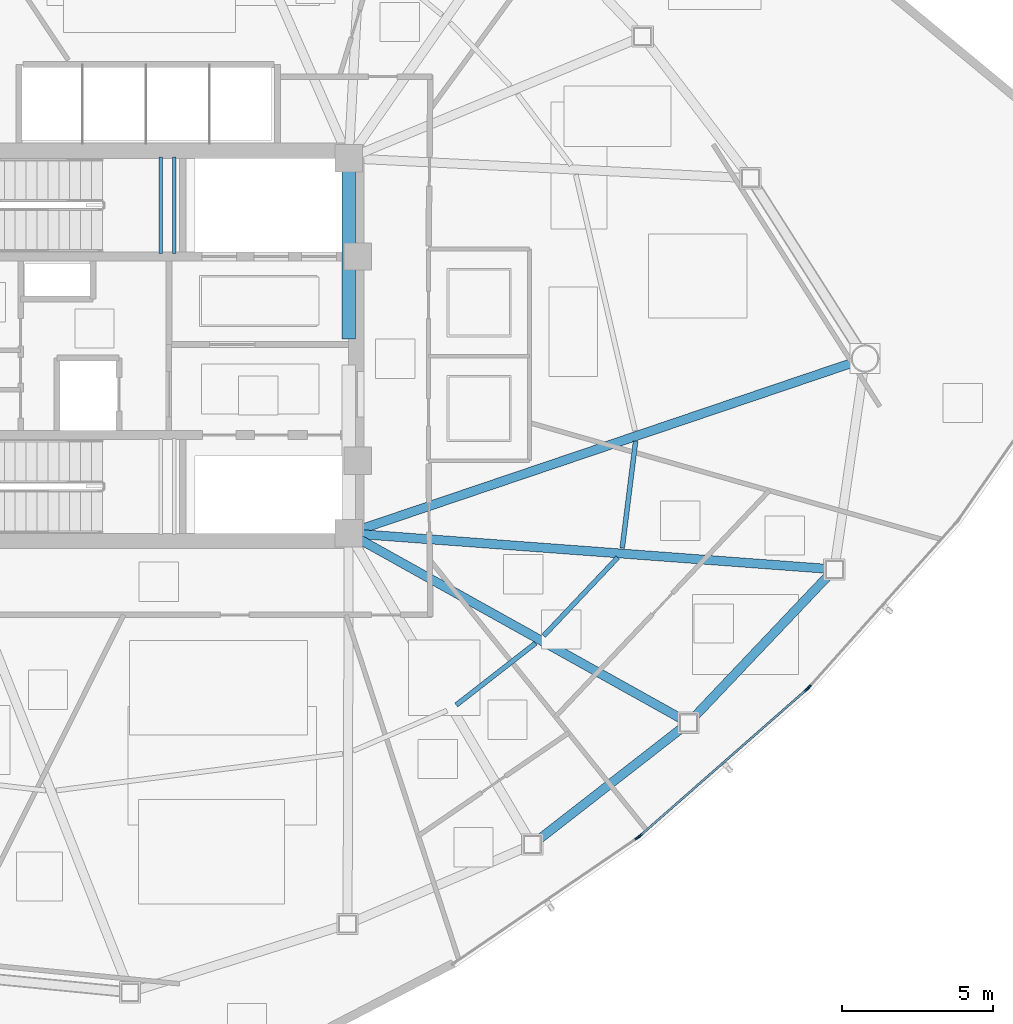
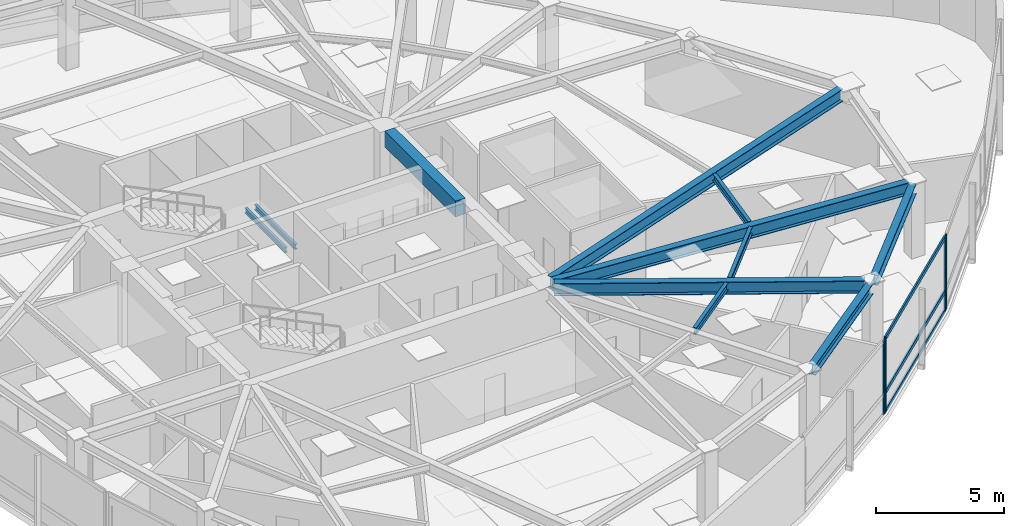
# One storey, part 5 of 17: 11 beams, 7 members, 3 elements without a shape of their own.
"""IFC4 building model written with IfcOpenShell, lengths in metres."""

from ifc_helpers import new_model, si_unit, direction, frame, origin, origin_2d, place, context, subcontext, project, spatial, rectangle, hollow_rectangle, i_section, extrude, source, transform, mapped, material, layer, layer_set, material_profile, profile_set, type_object, type_shapes, element, aggregate, save


model = new_model("IFC4")

# Units and contexts
model_context = context("Model", 3, precision=1e-05, world=origin(), true_north=direction((0.0, 1.0)))
body_context = subcontext(model_context, "Body", "Model", "MODEL_VIEW")
ifc_project = project(units=[si_unit("LENGTHUNIT", "METRE"), si_unit("AREAUNIT", "SQUARE_METRE"), si_unit("VOLUMEUNIT", "CUBIC_METRE"), si_unit("PLANEANGLEUNIT", "RADIAN"), si_unit("MASSUNIT", "GRAM", prefix="KILO")], contexts=[model_context])

# Site, building, storey
site_placement = place(None, origin())
site = spatial("IfcSite", under=ifc_project, at=site_placement, CompositionType="ELEMENT")
building_placement = place(site_placement, origin())
building = spatial("IfcBuilding", under=site, at=building_placement, Name="Tavelor Broadcast Tower", CompositionType="ELEMENT")
storey_placement = place(building_placement, frame((0.0, 0.0, 192.60009765625)))
storey = spatial("IfcBuildingStorey", under=building, at=storey_placement, Name="L46", CompositionType="ELEMENT", Elevation=192.60009765625)

# Beams
ifc_material_1 = material(Name="Concrete C40/50", Category="concrete")
ifc_material_profile_1 = material_profile(ifc_material_1, rectangle(XDim=0.449951171875, YDim=0.75, at=origin_2d()), Name="RC 450x750")
ifc_profile_set_1 = profile_set([ifc_material_profile_1], Name="Concrete C40/50")
beam_type_1 = type_object("IfcBeamType", Name="Basement Core Trim Beam 450x750", PredefinedType="BEAM", material=ifc_profile_set_1)
beam_1_placement = place(storey_placement, frame((56.60009765625, 45.23193359375, 3.1748046875), z_axis=(0.0, 1.0, 0.0), x_axis=(-1.0, 0.0, 0.0)))
element("IfcBeam", 1, at=beam_1_placement, inside=storey, type_object=beam_type_1, Name="L46 Core East-N Tie Girder", PredefinedType="BEAM", context=body_context, shape_type="SweptSolid", body=[
    extrude(rectangle(XDim=0.449951171875, YDim=0.75, at=origin_2d()), origin(), (0.0, 0.0, 1.0), 5.5361328125),
])
ifc_material_2 = material(Name="Steel S355", Category="steel")
ifc_material_profile_2 = material_profile(ifc_material_2, i_section(OverallWidth=0.159912109375, OverallDepth=0.330078125, WebThickness=0.007568359375, FlangeThickness=0.011474609375, at=origin_2d()), Name="IPE 330")
ifc_profile_set_2 = profile_set([ifc_material_profile_2], Name="Steel S355")
beam_type_2 = type_object("IfcBeamType", Name="Composite Floor Joist T4 IPE 330", PredefinedType="JOIST", material=ifc_profile_set_2)
beam_2_placement = place(storey_placement, frame((60.156005859375, 33.120361328125, 3.385009765625), z_axis=(0.788651848012, 0.614840030112, 0.0), x_axis=(-0.614840030112, 0.788651848012, 0.0)))
element("IfcBeam", 2, at=beam_2_placement, inside=storey, type_object=beam_type_2, Name="L46 Secondary Composite Floor Joist 10", PredefinedType="JOIST", context=body_context, shape_type="SweptSolid", body=[
    extrude(i_section(OverallWidth=0.159912109375, OverallDepth=0.330078125, WebThickness=0.007568359375, FlangeThickness=0.011474609375, at=origin_2d()), origin(), (0.0, 0.0, 1.0), 3.32470703125),
])
beam_3_placement = place(storey_placement, frame((63.04541015625, 35.4072265625, 3.385009765625), z_axis=(0.687334543524, 0.726340984166, 0.0), x_axis=(-0.726340984166, 0.687334543524, 0.0)))
element("IfcBeam", 3, at=beam_3_placement, inside=storey, type_object=beam_type_2, Name="L46 Secondary Composite Floor Joist 11", PredefinedType="JOIST", context=body_context, shape_type="SweptSolid", body=[
    extrude(i_section(OverallWidth=0.159912109375, OverallDepth=0.330078125, WebThickness=0.007568359375, FlangeThickness=0.011474609375, at=origin_2d()), origin(), (0.0, 0.0, 1.0), 3.567626953125),
])
beam_4_placement = place(storey_placement, frame((65.64453125, 38.3095703125, 3.385009765625), z_axis=(0.124499310057, 0.992219694319, 0.0), x_axis=(-0.992219694319, 0.124499310057, 0.0)))
element("IfcBeam", 4, at=beam_4_placement, inside=storey, type_object=beam_type_2, Name="L46 Secondary Composite Floor Joist 12", PredefinedType="JOIST", context=body_context, shape_type="SweptSolid", body=[
    extrude(i_section(OverallWidth=0.159912109375, OverallDepth=0.330078125, WebThickness=0.007568359375, FlangeThickness=0.011474609375, at=origin_2d()), origin(), (0.0, 0.0, 1.0), 3.55712890625),
])
ifc_material_profile_3 = material_profile(ifc_material_2, i_section(OverallWidth=0.300048828125, OverallDepth=0.5, WebThickness=0.014404296875, FlangeThickness=0.028076171875, at=origin_2d()), Name="HEB 500")
ifc_profile_set_3 = profile_set([ifc_material_profile_3], Name="Steel S355")
beam_type_3 = type_object("IfcBeamType", Name="Perimeter Spandrel Beam T4 HEB 500", PredefinedType="SPANDREL", material=ifc_profile_set_3)
beam_5_placement = place(storey_placement, frame((62.896484375, 28.68017578125, 3.2998046875), z_axis=(0.788978387361, 0.614420950389, 0.0), x_axis=(-0.614420950389, 0.788978387361, 0.0)))
element("IfcBeam", 5, at=beam_5_placement, inside=storey, type_object=beam_type_3, Name="L46 Framed-Tube Ring Spandrel 10", PredefinedType="SPANDREL", context=body_context, shape_type="SweptSolid", body=[
    extrude(i_section(OverallWidth=0.300048828125, OverallDepth=0.5, WebThickness=0.014404296875, FlangeThickness=0.028076171875, at=origin_2d()), origin(), (0.0, 0.0, 1.0), 5.98046875),
])
beam_6_placement = place(storey_placement, frame((68.04052734375, 32.74072265625, 3.2998046875), z_axis=(0.688387662899, 0.725342970993, 0.0), x_axis=(-0.725342970993, 0.688387662899, 0.0)))
element("IfcBeam", 6, at=beam_6_placement, inside=storey, type_object=beam_type_3, Name="L46 Framed-Tube Ring Spandrel 11", PredefinedType="SPANDREL", context=body_context, shape_type="SweptSolid", body=[
    extrude(i_section(OverallWidth=0.300048828125, OverallDepth=0.5, WebThickness=0.014404296875, FlangeThickness=0.028076171875, at=origin_2d()), origin(), (0.0, 0.0, 1.0), 6.42138671875),
])
ifc_material_profile_4 = material_profile(ifc_material_2, i_section(OverallWidth=0.300048828125, OverallDepth=0.590087890625, WebThickness=0.012939453125, FlangeThickness=0.02490234375, at=origin_2d()), Name="HEA 600")
ifc_profile_set_4 = profile_set([ifc_material_profile_4], Name="Steel S355")
beam_type_4 = type_object("IfcBeamType", Name="Radial Floor Girder T4 HEA 600", PredefinedType="BEAM", material=ifc_profile_set_4)
beam_7_placement = place(storey_placement, frame((56.977294921875, 38.589599609375, 3.2548828125), z_axis=(0.8734199139, -0.486967816187, 0.0), x_axis=(0.486967816187, 0.8734199139, 0.0)))
element("IfcBeam", 7, at=beam_7_placement, inside=storey, type_object=beam_type_4, Name="L46 Radial Primary Floor Girder 11", PredefinedType="BEAM", context=body_context, shape_type="SweptSolid", body=[
    extrude(i_section(OverallWidth=0.300048828125, OverallDepth=0.590087890625, WebThickness=0.012939453125, FlangeThickness=0.02490234375, at=origin_2d()), origin(), (0.0, 0.0, 1.0), 12.151611328125),
])
beam_8_placement = place(storey_placement, frame((57.03076171875, 38.76806640625, 3.2548828125), z_axis=(0.997253315852, -0.074066348787, 0.0), x_axis=(0.074066348787, 0.997253315852, 0.0)))
element("IfcBeam", 8, at=beam_8_placement, inside=storey, type_object=beam_type_4, Name="L46 Radial Primary Floor Girder 12", PredefinedType="BEAM", context=body_context, shape_type="SweptSolid", body=[
    extrude(i_section(OverallWidth=0.300048828125, OverallDepth=0.590087890625, WebThickness=0.012939453125, FlangeThickness=0.02490234375, at=origin_2d()), origin(), (0.0, 0.0, 1.0), 15.383544921875),
])
beam_9_placement = place(storey_placement, frame((57.00927734375, 38.9384765625, 3.2548828125), z_axis=(0.947214639948, 0.320600102727, 0.0), x_axis=(-0.320600102727, 0.947214639948, 0.0)))
element("IfcBeam", 9, at=beam_9_placement, inside=storey, type_object=beam_type_4, Name="L46 Radial Primary Floor Girder 13", PredefinedType="BEAM", context=body_context, shape_type="SweptSolid", body=[
    extrude(i_section(OverallWidth=0.300048828125, OverallDepth=0.590087890625, WebThickness=0.012939453125, FlangeThickness=0.02490234375, at=origin_2d()), origin(), (0.0, 0.0, 1.0), 17.15673828125),
])
ifc_material_profile_5 = material_profile(ifc_material_2, i_section(OverallWidth=0.1201171875, OverallDepth=0.239990234375, WebThickness=0.006103515625, FlangeThickness=0.009765625, at=origin_2d()), Name="IPE 240")
ifc_profile_set_5 = profile_set([ifc_material_profile_5], Name="Steel S355")
beam_type_5 = type_object("IfcBeamType", Name="Stairwell Landing Support Trimmer Beam IPE240", PredefinedType="BEAM", material=ifc_profile_set_5)
for number, where, z_axis, x_axis, name in (
    (10, (50.385009765625, 48.06005859375, 1.60986328125), (0.0, 1.0, 0.0), (-1.0, 0.0, 0.0), "L46 Stair Landing Support Beam 125"),
    (11, (50.824951171875, 48.06005859375, 1.60986328125), (0.0, 1.0, 0.0), (-1.0, 0.0, 0.0), "L46 Stair Landing Support Beam 126"),
):
    element("IfcBeam", number, at=place(storey_placement, frame(where, z_axis=z_axis, x_axis=x_axis)), inside=storey, type_object=beam_type_5, Name=name, PredefinedType="BEAM", context=body_context, shape_type="SweptSolid", body=[
        extrude(i_section(OverallWidth=0.1201171875, OverallDepth=0.239990234375, WebThickness=0.006103515625, FlangeThickness=0.009765625, at=origin_2d()), origin(), (0.0, 0.0, 1.0), 3.179931640625),
    ])

# Curtain wall, member
ifc_material_3 = material(Name="Architectural Anodized Aluminium", Category="aluminium")
ifc_layer = layer(ifc_material_3, 0.18994140625)
ifc_layer_set = layer_set([ifc_layer], Name="Architectural Anodized Aluminium")
curtain_wall_type = type_object("IfcCurtainWallType", Name="Tower Mid-Zone Acoustic Curtain Wall CW03", PredefinedType="NOTDEFINED", material=ifc_layer_set)
curtain_wall_1_placement = place(storey_placement, origin())
curtain_wall_1 = element("IfcCurtainWall", 12, at=curtain_wall_1_placement, inside=storey, type_object=curtain_wall_type, Name="L46 Curtain Wall CW03 Run 497", PredefinedType="NOTDEFINED")
ifc_material_profile_6 = material_profile(ifc_material_3, hollow_rectangle(XDim=0.068115234375, YDim=0.18994140625, WallThickness=0.02197265625, at=origin_2d()), Name="RHS 68x190x22")
ifc_profile_set_6 = profile_set([ifc_material_profile_6], Name="Architectural Anodized Aluminium")
member_type_1 = type_object("IfcMemberType", Name="CW03 Extruded Aluminium Mullion 68x190", PredefinedType="MULLION", material=ifc_profile_set_6)
shared_shape_1 = source(origin(), body_context, "Body", "SweptSolid", [
    extrude(hollow_rectangle(XDim=0.068115234375, YDim=0.18994140625, WallThickness=0.02197265625, at=origin_2d()), origin(), (0.0, 0.0, 1.0), 3.5498046875),
])
type_shapes(member_type_1, [shared_shape_1])
member_1_placement = place(storey_placement, frame((66.155029296875, 28.734375, 0.0), z_axis=(0.0, 0.0, 1.0), x_axis=(-0.563894858245, 0.825846589171, 0.0)))
member_1 = element("IfcMember", 13, at=member_1_placement, type_object=member_type_1, Name="CW03 mullion 2", PredefinedType="MULLION", context=body_context, shape_type="MappedRepresentation", body=[
    mapped(shared_shape_1, transform((0.0, 0.0, 0.0), scale=1.0)),
])
aggregate(curtain_wall_1, [member_1])

# Curtain wall, members
curtain_wall_2_placement = place(storey_placement, origin())
curtain_wall_2 = element("IfcCurtainWall", 14, at=curtain_wall_2_placement, inside=storey, type_object=curtain_wall_type, Name="L46 Curtain Wall CW03 Run 498", PredefinedType="NOTDEFINED")
member_2_placement = place(storey_placement, frame((66.232421875, 28.794189453125, 0.0), z_axis=(0.0, 0.0, 1.0), x_axis=(-0.659674722179, 0.751551236389, 0.0)))
member_2 = element("IfcMember", 15, at=member_2_placement, type_object=member_type_1, Name="CW03 mullion 1", PredefinedType="MULLION", context=body_context, shape_type="MappedRepresentation", body=[
    mapped(shared_shape_1, transform((0.0, 0.0, 0.0), scale=1.0)),
])
member_3_placement = place(storey_placement, frame((71.747802734375, 33.63525390625, 0.0), z_axis=(0.0, 0.0, 1.0), x_axis=(-0.659674722179, 0.751551236389, 0.0)))
member_3 = element("IfcMember", 16, at=member_3_placement, type_object=member_type_1, Name="CW03 mullion 2", PredefinedType="MULLION", context=body_context, shape_type="MappedRepresentation", body=[
    mapped(shared_shape_1, transform((0.0, 0.0, 0.0), scale=1.0)),
])

# Curtain wall, member
curtain_wall_3_placement = place(storey_placement, origin())
curtain_wall_3 = element("IfcCurtainWall", 17, at=curtain_wall_3_placement, inside=storey, type_object=curtain_wall_type, Name="L46 Curtain Wall CW03 Run 499", PredefinedType="NOTDEFINED")
member_4_placement = place(storey_placement, frame((71.817138671875, 33.704345703125, 0.0), z_axis=(0.0, 0.0, 1.0), x_axis=(-0.745774980967, 0.666197926868, 0.0)))
member_4 = element("IfcMember", 18, at=member_4_placement, type_object=member_type_1, Name="CW03 mullion 1", PredefinedType="MULLION", context=body_context, shape_type="MappedRepresentation", body=[
    mapped(shared_shape_1, transform((0.0, 0.0, 0.0), scale=1.0)),
])
aggregate(curtain_wall_3, [member_4])

# Member
ifc_material_profile_7 = material_profile(ifc_material_3, hollow_rectangle(XDim=0.068115234375, YDim=0.18994140625, WallThickness=0.02197265625, at=origin_2d()), Name="RHS 68x190x22")
ifc_profile_set_7 = profile_set([ifc_material_profile_7], Name="Architectural Anodized Aluminium")
member_type_2 = type_object("IfcMemberType", Name="CW03 Extruded Aluminium Transom 68x190", PredefinedType="USERDEFINED", material=ifc_profile_set_7)
shared_shape_2 = source(origin(), body_context, "Body", "SweptSolid", [
    extrude(hollow_rectangle(XDim=0.068115234375, YDim=0.18994140625, WallThickness=0.02197265625, at=origin_2d()), origin(), (0.0, 0.0, 1.0), 7.270751953125),
])
type_shapes(member_type_2, [shared_shape_2])
member_5_placement = place(storey_placement, frame((66.2578125, 28.816650390625, 0.033935546875), z_axis=(0.751548224808, 0.659678153184, 0.0), x_axis=(-0.659678153184, 0.751548224808, 0.0)))
member_5 = element("IfcMember", 19, at=member_5_placement, type_object=member_type_2, Name="CW03 transom 1.1", ObjectType="TRANSOM", PredefinedType="USERDEFINED", context=body_context, shape_type="MappedRepresentation", body=[
    mapped(shared_shape_2, transform((0.0, 0.0, 0.0), scale=1.0)),
])

member_6_placement = place(storey_placement, frame((66.2578125, 28.816650390625, 0.949951171875), z_axis=(0.751548224808, 0.659678153184, 0.0), x_axis=(-0.659678153184, 0.751548224808, 0.0)))
member_6 = element("IfcMember", 20, at=member_6_placement, type_object=member_type_2, Name="CW03 transom 1.2", ObjectType="TRANSOM", PredefinedType="USERDEFINED", context=body_context, shape_type="MappedRepresentation", body=[
    mapped(shared_shape_2, transform((0.0, 0.0, 0.0), scale=1.0)),
])

member_7_placement = place(storey_placement, frame((66.2578125, 28.816650390625, 3.515869140625), z_axis=(0.751548224808, 0.659678153184, 0.0), x_axis=(-0.659678153184, 0.751548224808, 0.0)))
member_7 = element("IfcMember", 21, at=member_7_placement, type_object=member_type_2, Name="CW03 transom 1.3", ObjectType="TRANSOM", PredefinedType="USERDEFINED", context=body_context, shape_type="MappedRepresentation", body=[
    mapped(shared_shape_2, transform((0.0, 0.0, 0.0), scale=1.0)),
])

aggregate(curtain_wall_2, [member_2, member_3, member_5, member_6, member_7])

save(model, "model.ifc")
